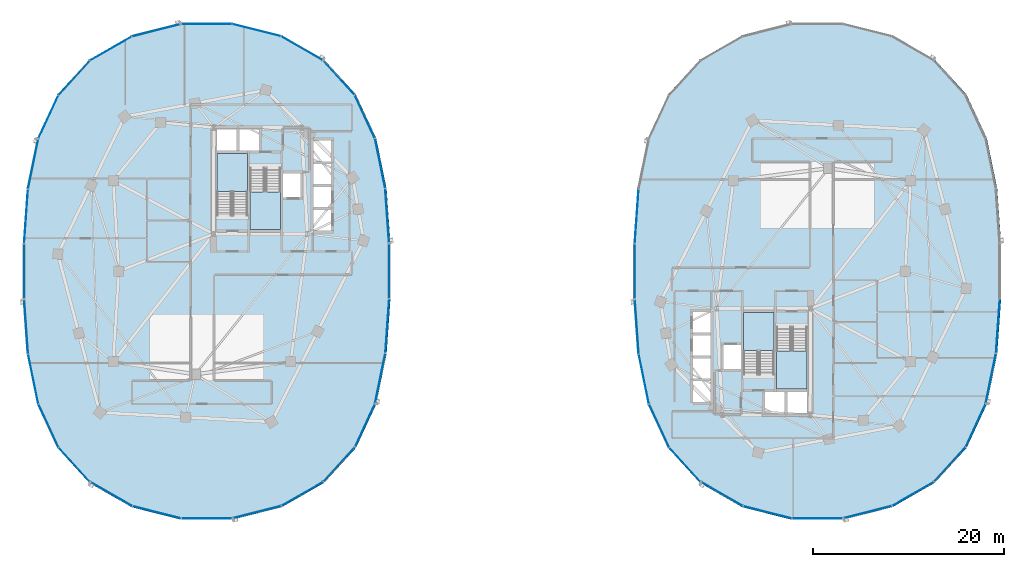
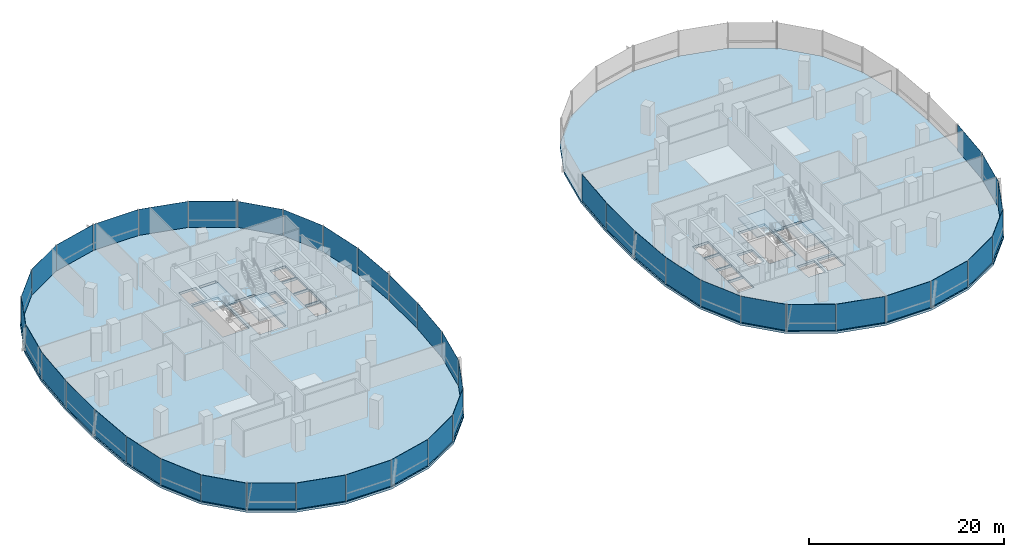
# One storey, part 9 of 21: 43 plates, 6 slabs, 11 elements without a shape of their own.
"""IFC4 building model written with IfcOpenShell, lengths in metres."""

from ifc_helpers import new_model, si_unit, direction, frame, origin, origin_2d, place, context, subcontext, project, spatial, polyline, rectangle, outline, extrude, material, layer, layer_set, type_object, element, aggregate, save


model = new_model("IFC4")

# Units and contexts
model_context = context("Model", 3, precision=1e-05, world=origin(), true_north=direction((0.0, 1.0)))
body_context = subcontext(model_context, "Body", "Model", "MODEL_VIEW")
ifc_project = project(units=[si_unit("LENGTHUNIT", "METRE"), si_unit("AREAUNIT", "SQUARE_METRE"), si_unit("VOLUMEUNIT", "CUBIC_METRE"), si_unit("PLANEANGLEUNIT", "RADIAN"), si_unit("MASSUNIT", "GRAM", prefix="KILO"), si_unit("THERMODYNAMICTEMPERATUREUNIT", "KELVIN"), si_unit("POWERUNIT", "WATT")], contexts=[model_context])

# Site, building, storey
site_placement = place(None, origin())
site = spatial("IfcSite", under=ifc_project, at=site_placement, CompositionType="ELEMENT")
building_placement = place(site_placement, origin())
building = spatial("IfcBuilding", under=site, at=building_placement, Name="Cundina Bronze Exchange", CompositionType="ELEMENT")
storey_placement = place(building_placement, frame((0.0, 0.0, 92.60009765625)))
storey = spatial("IfcBuildingStorey", under=building, at=storey_placement, Name="L23", CompositionType="ELEMENT", Elevation=92.60009765625)

# Curtain wall, plates
ifc_material_1 = material(Name="Anodised Bronze Aluminium 6063-T6", Category="aluminium")
curtain_wall_type = type_object("IfcCurtainWallType", Name="CWS-TRD-MID", PredefinedType="NOTDEFINED", material=ifc_material_1)
curtain_wall_1_placement = place(storey_placement, origin())
curtain_wall_1 = element("IfcCurtainWall", 1, at=curtain_wall_1_placement, inside=storey, type_object=curtain_wall_type, Name="L23 CW-03 Curtain Wall Run CWR-L23-W1", PredefinedType="NOTDEFINED")
ifc_material_2 = material(Name="Heat-Strengthened Solar-Control Bronze Safety Glass 28mm", Category="glass")
ifc_layer_1 = layer(ifc_material_2, 0.028076171875, Name="Heat-Strengthened Solar-Control Bronze Safety Glass 28mm", Category="glass")
ifc_layer_set_1 = layer_set([ifc_layer_1], Name="Heat-Strengthened Solar-Control Bronze Safety Glass 28mm")
plate_type_1 = type_object("IfcPlateType", Name="PLT-GLZ-VIS28", PredefinedType="CURTAIN_PANEL", material=ifc_layer_set_1)
plate_1_placement = place(storey_placement, frame((-13.0732421875, 5.783935546875, 0.02001953125), z_axis=(0.0, 0.0, 1.0), x_axis=(-0.070278787473, 0.997527389113, 0.0)))
plate_1 = element("IfcPlate", 2, at=plate_1_placement, type_object=plate_type_1, Name="CW-03 Glazed Panel 1", PredefinedType="CURTAIN_PANEL", context=body_context, shape_type="SweptSolid", body=[
    extrude(rectangle(XDim=5.644287109375, YDim=0.028076171875, at=origin_2d()), origin(), (0.0, 0.0, 1.0), 3.260009765625),
])
plate_2_placement = place(storey_placement, frame((-15.413818359375, 16.177734375, 0.02001953125), z_axis=(0.0, 0.0, 1.0), x_axis=(-0.42084583328, 0.907132175932, 0.0)))
plate_2 = element("IfcPlate", 3, at=plate_2_placement, type_object=plate_type_1, Name="CW-03 Glazed Panel 3", PredefinedType="CURTAIN_PANEL", context=body_context, shape_type="SweptSolid", body=[
    extrude(rectangle(XDim=4.966552734375, YDim=0.028076171875, at=origin_2d()), origin(), (0.0, 0.0, 1.0), 3.260009765625),
])
plate_3_placement = place(storey_placement, frame((-18.1259765625, 20.267333984375, 0.02001953125), z_axis=(0.0, 0.0, 1.0), x_axis=(-0.674276610219, 0.73847887777, 0.0)))
plate_3 = element("IfcPlate", 4, at=plate_3_placement, type_object=plate_type_1, Name="CW-03 Glazed Panel 4", PredefinedType="CURTAIN_PANEL", context=body_context, shape_type="SweptSolid", body=[
    extrude(rectangle(XDim=4.86328125, YDim=0.028076171875, at=origin_2d()), origin(), (0.0, 0.0, 1.0), 3.260009765625),
])
plate_4_placement = place(storey_placement, frame((-21.980712890625, 23.34423828125, 0.02001953125), z_axis=(0.0, 0.0, 1.0), x_axis=(-0.867105478933, 0.498124571171, 0.0)))
plate_4 = element("IfcPlate", 5, at=plate_4_placement, type_object=plate_type_1, Name="CW-03 Glazed Panel 5", PredefinedType="CURTAIN_PANEL", context=body_context, shape_type="SweptSolid", body=[
    extrude(rectangle(XDim=5.021240234375, YDim=0.028076171875, at=origin_2d()), origin(), (0.0, 0.0, 1.0), 3.260009765625),
])
plate_5_placement = place(storey_placement, frame((-26.744384765625, 25.256591796875, 0.02001953125), z_axis=(0.0, 0.0, 1.0), x_axis=(-0.969488149345, 0.245138182011, 0.0)))
plate_5 = element("IfcPlate", 6, at=plate_5_placement, type_object=plate_type_1, Name="CW-03 Glazed Panel 6", PredefinedType="CURTAIN_PANEL", context=body_context, shape_type="SweptSolid", body=[
    extrude(rectangle(XDim=5.2333984375, YDim=0.028076171875, at=origin_2d()), origin(), (0.0, 0.0, 1.0), 3.260009765625),
])

curtain_wall_2_placement = place(storey_placement, origin())
curtain_wall_2 = element("IfcCurtainWall", 7, at=curtain_wall_2_placement, inside=storey, type_object=curtain_wall_type, Name="L23 CW-03 Curtain Wall Run CWR-L23-W2", PredefinedType="NOTDEFINED")
plate_6_placement = place(storey_placement, frame((-42.019287109375, 23.34423828125, 0.02001953125), z_axis=(0.0, 0.0, 1.0), x_axis=(-0.867105478933, -0.498124571171, 0.0)))
plate_6 = element("IfcPlate", 8, at=plate_6_placement, type_object=plate_type_1, Name="CW-03 Glazed Panel 2", PredefinedType="CURTAIN_PANEL", context=body_context, shape_type="SweptSolid", body=[
    extrude(rectangle(XDim=5.021240234375, YDim=0.028076171875, at=origin_2d()), origin(), (0.0, 0.0, 1.0), 3.260009765625),
])
plate_7_placement = place(storey_placement, frame((-45.8740234375, 20.267333984375, 0.02001953125), z_axis=(0.0, 0.0, 1.0), x_axis=(-0.674276610219, -0.73847887777, 0.0)))
plate_7 = element("IfcPlate", 9, at=plate_7_placement, type_object=plate_type_1, Name="CW-03 Glazed Panel 3", PredefinedType="CURTAIN_PANEL", context=body_context, shape_type="SweptSolid", body=[
    extrude(rectangle(XDim=4.86328125, YDim=0.028076171875, at=origin_2d()), origin(), (0.0, 0.0, 1.0), 3.260009765625),
])
plate_8_placement = place(storey_placement, frame((-48.586181640625, 16.177734375, 0.02001953125), z_axis=(0.0, 0.0, 1.0), x_axis=(-0.42084583328, -0.907132175932, 0.0)))
plate_8 = element("IfcPlate", 10, at=plate_8_placement, type_object=plate_type_1, Name="CW-03 Glazed Panel 4", PredefinedType="CURTAIN_PANEL", context=body_context, shape_type="SweptSolid", body=[
    extrude(rectangle(XDim=4.966552734375, YDim=0.028076171875, at=origin_2d()), origin(), (0.0, 0.0, 1.0), 3.260009765625),
])
plate_9_placement = place(storey_placement, frame((-50.18408203125, 11.269775390625, 0.02001953125), z_axis=(0.0, 0.0, 1.0), x_axis=(-0.201419845156, -0.979505000486, 0.0)))
plate_9 = element("IfcPlate", 11, at=plate_9_placement, type_object=plate_type_1, Name="CW-03 Glazed Panel 5", PredefinedType="CURTAIN_PANEL", context=body_context, shape_type="SweptSolid", body=[
    extrude(rectangle(XDim=5.306640625, YDim=0.028076171875, at=origin_2d()), origin(), (0.0, 0.0, 1.0), 3.260009765625),
])
plate_10_placement = place(storey_placement, frame((-51.1279296875, 0.0, 0.02001953125), z_axis=(0.0, 0.0, 1.0), x_axis=(0.0, -1.0, 0.0)))
plate_10 = element("IfcPlate", 12, at=plate_10_placement, type_object=plate_type_1, Name="CW-03 Glazed Panel 7", PredefinedType="CURTAIN_PANEL", context=body_context, shape_type="SweptSolid", body=[
    extrude(rectangle(XDim=5.77587890625, YDim=0.028076171875, at=origin_2d()), origin(), (0.0, 0.0, 1.0), 3.260009765625),
])

curtain_wall_3_placement = place(storey_placement, origin())
curtain_wall_3 = element("IfcCurtainWall", 13, at=curtain_wall_3_placement, inside=storey, type_object=curtain_wall_type, Name="L23 CW-03 Curtain Wall Run CWR-L23-W3", PredefinedType="NOTDEFINED")
plate_11_placement = place(storey_placement, frame((-50.9267578125, -5.783935546875, 0.02001953125), z_axis=(0.0, 0.0, 1.0), x_axis=(0.070278787473, -0.997527389113, 0.0)))
plate_11 = element("IfcPlate", 14, at=plate_11_placement, type_object=plate_type_1, Name="CW-03 Glazed Panel 1", PredefinedType="CURTAIN_PANEL", context=body_context, shape_type="SweptSolid", body=[
    extrude(rectangle(XDim=5.644287109375, YDim=0.028076171875, at=origin_2d()), origin(), (0.0, 0.0, 1.0), 3.260009765625),
])
plate_12_placement = place(storey_placement, frame((-50.18408203125, -11.269775390625, 0.02001953125), z_axis=(0.0, 0.0, 1.0), x_axis=(0.201419845156, -0.979505000486, 0.0)))
plate_12 = element("IfcPlate", 15, at=plate_12_placement, type_object=plate_type_1, Name="CW-03 Glazed Panel 2", PredefinedType="CURTAIN_PANEL", context=body_context, shape_type="SweptSolid", body=[
    extrude(rectangle(XDim=5.306640625, YDim=0.028076171875, at=origin_2d()), origin(), (0.0, 0.0, 1.0), 3.260009765625),
])
plate_13_placement = place(storey_placement, frame((-48.586181640625, -16.177734375, 0.02001953125), z_axis=(0.0, 0.0, 1.0), x_axis=(0.42084583328, -0.907132175932, 0.0)))
plate_13 = element("IfcPlate", 16, at=plate_13_placement, type_object=plate_type_1, Name="CW-03 Glazed Panel 3", PredefinedType="CURTAIN_PANEL", context=body_context, shape_type="SweptSolid", body=[
    extrude(rectangle(XDim=4.966552734375, YDim=0.028076171875, at=origin_2d()), origin(), (0.0, 0.0, 1.0), 3.260009765625),
])
plate_14_placement = place(storey_placement, frame((-45.8740234375, -20.267333984375, 0.02001953125), z_axis=(0.0, 0.0, 1.0), x_axis=(0.674276610219, -0.73847887777, 0.0)))
plate_14 = element("IfcPlate", 17, at=plate_14_placement, type_object=plate_type_1, Name="CW-03 Glazed Panel 4", PredefinedType="CURTAIN_PANEL", context=body_context, shape_type="SweptSolid", body=[
    extrude(rectangle(XDim=4.86328125, YDim=0.028076171875, at=origin_2d()), origin(), (0.0, 0.0, 1.0), 3.260009765625),
])
plate_15_placement = place(storey_placement, frame((-37.255615234375, -25.256591796875, 0.02001953125), z_axis=(0.0, 0.0, 1.0), x_axis=(0.969488149345, -0.245138182011, 0.0)))
plate_15 = element("IfcPlate", 18, at=plate_15_placement, type_object=plate_type_1, Name="CW-03 Glazed Panel 6", PredefinedType="CURTAIN_PANEL", context=body_context, shape_type="SweptSolid", body=[
    extrude(rectangle(XDim=5.2333984375, YDim=0.028076171875, at=origin_2d()), origin(), (0.0, 0.0, 1.0), 3.260009765625),
])
plate_16_placement = place(storey_placement, frame((-32.0, -25.905029296875, 0.02001953125), z_axis=(0.0, 0.0, 1.0), x_axis=(1.0, 0.0, 0.0)))
plate_16 = element("IfcPlate", 19, at=plate_16_placement, type_object=plate_type_1, Name="CW-03 Glazed Panel 7", PredefinedType="CURTAIN_PANEL", context=body_context, shape_type="SweptSolid", body=[
    extrude(rectangle(XDim=5.323974609375, YDim=0.028076171875, at=origin_2d()), origin(), (0.0, 0.0, 1.0), 3.260009765625),
])

curtain_wall_4_placement = place(storey_placement, origin())
curtain_wall_4 = element("IfcCurtainWall", 20, at=curtain_wall_4_placement, inside=storey, type_object=curtain_wall_type, Name="L23 CW-03 Curtain Wall Run CWR-L23-W4", PredefinedType="NOTDEFINED")
plate_17_placement = place(storey_placement, frame((-26.744384765625, -25.256591796875, 0.02001953125), z_axis=(0.0, 0.0, 1.0), x_axis=(0.969488149345, 0.245138182011, 0.0)))
plate_17 = element("IfcPlate", 21, at=plate_17_placement, type_object=plate_type_1, Name="CW-03 Glazed Panel 1", PredefinedType="CURTAIN_PANEL", context=body_context, shape_type="SweptSolid", body=[
    extrude(rectangle(XDim=5.2333984375, YDim=0.028076171875, at=origin_2d()), origin(), (0.0, 0.0, 1.0), 3.260009765625),
])
plate_18_placement = place(storey_placement, frame((-21.980712890625, -23.34423828125, 0.02001953125), z_axis=(0.0, 0.0, 1.0), x_axis=(0.867105478933, 0.498124571171, 0.0)))
plate_18 = element("IfcPlate", 22, at=plate_18_placement, type_object=plate_type_1, Name="CW-03 Glazed Panel 2", PredefinedType="CURTAIN_PANEL", context=body_context, shape_type="SweptSolid", body=[
    extrude(rectangle(XDim=5.021240234375, YDim=0.028076171875, at=origin_2d()), origin(), (0.0, 0.0, 1.0), 3.260009765625),
])
plate_19_placement = place(storey_placement, frame((-18.1259765625, -20.267333984375, 0.02001953125), z_axis=(0.0, 0.0, 1.0), x_axis=(0.674276610219, 0.73847887777, 0.0)))
plate_19 = element("IfcPlate", 23, at=plate_19_placement, type_object=plate_type_1, Name="CW-03 Glazed Panel 3", PredefinedType="CURTAIN_PANEL", context=body_context, shape_type="SweptSolid", body=[
    extrude(rectangle(XDim=4.86328125, YDim=0.028076171875, at=origin_2d()), origin(), (0.0, 0.0, 1.0), 3.260009765625),
])
plate_20_placement = place(storey_placement, frame((-13.81591796875, -11.269775390625, 0.02001953125), z_axis=(0.0, 0.0, 1.0), x_axis=(0.201419845156, 0.979505000486, 0.0)))
plate_20 = element("IfcPlate", 24, at=plate_20_placement, type_object=plate_type_1, Name="CW-03 Glazed Panel 5", PredefinedType="CURTAIN_PANEL", context=body_context, shape_type="SweptSolid", body=[
    extrude(rectangle(XDim=5.306640625, YDim=0.028076171875, at=origin_2d()), origin(), (0.0, 0.0, 1.0), 3.260009765625),
])
plate_21_placement = place(storey_placement, frame((-13.0732421875, -5.783935546875, 0.02001953125), z_axis=(0.0, 0.0, 1.0), x_axis=(0.070278787473, 0.997527389113, 0.0)))
plate_21 = element("IfcPlate", 25, at=plate_21_placement, type_object=plate_type_1, Name="CW-03 Glazed Panel 6", PredefinedType="CURTAIN_PANEL", context=body_context, shape_type="SweptSolid", body=[
    extrude(rectangle(XDim=5.644287109375, YDim=0.028076171875, at=origin_2d()), origin(), (0.0, 0.0, 1.0), 3.260009765625),
])
plate_22_placement = place(storey_placement, frame((-12.8720703125, 0.0, 0.02001953125), z_axis=(0.0, 0.0, 1.0), x_axis=(0.0, 1.0, 0.0)))
plate_22 = element("IfcPlate", 26, at=plate_22_placement, type_object=plate_type_1, Name="CW-03 Glazed Panel 7", PredefinedType="CURTAIN_PANEL", context=body_context, shape_type="SweptSolid", body=[
    extrude(rectangle(XDim=5.77587890625, YDim=0.028076171875, at=origin_2d()), origin(), (0.0, 0.0, 1.0), 3.260009765625),
])

# Curtain wall, plate
curtain_wall_5_placement = place(storey_placement, origin())
curtain_wall_5 = element("IfcCurtainWall", 27, at=curtain_wall_5_placement, inside=storey, type_object=curtain_wall_type, Name="L23 CW-03 Curtain Wall Run CWR-L23-E2", PredefinedType="NOTDEFINED")
plate_23_placement = place(storey_placement, frame((12.8720703125, 0.0, 0.02001953125), z_axis=(0.0, 0.0, 1.0), x_axis=(0.0, -1.0, 0.0)))
plate_23 = element("IfcPlate", 28, at=plate_23_placement, type_object=plate_type_1, Name="CW-03 Glazed Panel 7", PredefinedType="CURTAIN_PANEL", context=body_context, shape_type="SweptSolid", body=[
    extrude(rectangle(XDim=5.77587890625, YDim=0.028076171875, at=origin_2d()), origin(), (0.0, 0.0, 1.0), 3.260009765625),
])

# Curtain wall, plates
curtain_wall_6_placement = place(storey_placement, origin())
curtain_wall_6 = element("IfcCurtainWall", 29, at=curtain_wall_6_placement, inside=storey, type_object=curtain_wall_type, Name="L23 CW-03 Curtain Wall Run CWR-L23-E3", PredefinedType="NOTDEFINED")
plate_24_placement = place(storey_placement, frame((13.0732421875, -5.783935546875, 0.02001953125), z_axis=(0.0, 0.0, 1.0), x_axis=(0.070278787473, -0.997527389113, 0.0)))
plate_24 = element("IfcPlate", 30, at=plate_24_placement, type_object=plate_type_1, Name="CW-03 Glazed Panel 1", PredefinedType="CURTAIN_PANEL", context=body_context, shape_type="SweptSolid", body=[
    extrude(rectangle(XDim=5.644287109375, YDim=0.028076171875, at=origin_2d()), origin(), (0.0, 0.0, 1.0), 3.260009765625),
])
plate_25_placement = place(storey_placement, frame((13.81591796875, -11.269775390625, 0.02001953125), z_axis=(0.0, 0.0, 1.0), x_axis=(0.201419845156, -0.979505000486, 0.0)))
plate_25 = element("IfcPlate", 31, at=plate_25_placement, type_object=plate_type_1, Name="CW-03 Glazed Panel 2", PredefinedType="CURTAIN_PANEL", context=body_context, shape_type="SweptSolid", body=[
    extrude(rectangle(XDim=5.306640625, YDim=0.028076171875, at=origin_2d()), origin(), (0.0, 0.0, 1.0), 3.260009765625),
])
plate_26_placement = place(storey_placement, frame((15.413818359375, -16.177734375, 0.02001953125), z_axis=(0.0, 0.0, 1.0), x_axis=(0.42084583328, -0.907132175932, 0.0)))
plate_26 = element("IfcPlate", 32, at=plate_26_placement, type_object=plate_type_1, Name="CW-03 Glazed Panel 3", PredefinedType="CURTAIN_PANEL", context=body_context, shape_type="SweptSolid", body=[
    extrude(rectangle(XDim=4.966552734375, YDim=0.028076171875, at=origin_2d()), origin(), (0.0, 0.0, 1.0), 3.260009765625),
])
plate_27_placement = place(storey_placement, frame((18.1259765625, -20.267333984375, 0.02001953125), z_axis=(0.0, 0.0, 1.0), x_axis=(0.674276610219, -0.73847887777, 0.0)))
plate_27 = element("IfcPlate", 33, at=plate_27_placement, type_object=plate_type_1, Name="CW-03 Glazed Panel 4", PredefinedType="CURTAIN_PANEL", context=body_context, shape_type="SweptSolid", body=[
    extrude(rectangle(XDim=4.86328125, YDim=0.028076171875, at=origin_2d()), origin(), (0.0, 0.0, 1.0), 3.260009765625),
])
plate_28_placement = place(storey_placement, frame((26.744384765625, -25.256591796875, 0.02001953125), z_axis=(0.0, 0.0, 1.0), x_axis=(0.969488149345, -0.245138182011, 0.0)))
plate_28 = element("IfcPlate", 34, at=plate_28_placement, type_object=plate_type_1, Name="CW-03 Glazed Panel 6", PredefinedType="CURTAIN_PANEL", context=body_context, shape_type="SweptSolid", body=[
    extrude(rectangle(XDim=5.2333984375, YDim=0.028076171875, at=origin_2d()), origin(), (0.0, 0.0, 1.0), 3.260009765625),
])
plate_29_placement = place(storey_placement, frame((32.0, -25.905029296875, 0.02001953125), z_axis=(0.0, 0.0, 1.0), x_axis=(1.0, 0.0, 0.0)))
plate_29 = element("IfcPlate", 35, at=plate_29_placement, type_object=plate_type_1, Name="CW-03 Glazed Panel 7", PredefinedType="CURTAIN_PANEL", context=body_context, shape_type="SweptSolid", body=[
    extrude(rectangle(XDim=5.323974609375, YDim=0.028076171875, at=origin_2d()), origin(), (0.0, 0.0, 1.0), 3.260009765625),
])

curtain_wall_7_placement = place(storey_placement, origin())
curtain_wall_7 = element("IfcCurtainWall", 36, at=curtain_wall_7_placement, inside=storey, type_object=curtain_wall_type, Name="L23 CW-03 Curtain Wall Run CWR-L23-E4", PredefinedType="NOTDEFINED")
plate_30_placement = place(storey_placement, frame((37.255615234375, -25.256591796875, 0.02001953125), z_axis=(0.0, 0.0, 1.0), x_axis=(0.969488149345, 0.245138182011, 0.0)))
plate_30 = element("IfcPlate", 37, at=plate_30_placement, type_object=plate_type_1, Name="CW-03 Glazed Panel 1", PredefinedType="CURTAIN_PANEL", context=body_context, shape_type="SweptSolid", body=[
    extrude(rectangle(XDim=5.2333984375, YDim=0.028076171875, at=origin_2d()), origin(), (0.0, 0.0, 1.0), 3.260009765625),
])
plate_31_placement = place(storey_placement, frame((42.019287109375, -23.34423828125, 0.02001953125), z_axis=(0.0, 0.0, 1.0), x_axis=(0.867105478933, 0.498124571171, 0.0)))
plate_31 = element("IfcPlate", 38, at=plate_31_placement, type_object=plate_type_1, Name="CW-03 Glazed Panel 2", PredefinedType="CURTAIN_PANEL", context=body_context, shape_type="SweptSolid", body=[
    extrude(rectangle(XDim=5.021240234375, YDim=0.028076171875, at=origin_2d()), origin(), (0.0, 0.0, 1.0), 3.260009765625),
])
plate_32_placement = place(storey_placement, frame((45.8740234375, -20.267333984375, 0.02001953125), z_axis=(0.0, 0.0, 1.0), x_axis=(0.674276610219, 0.73847887777, 0.0)))
plate_32 = element("IfcPlate", 39, at=plate_32_placement, type_object=plate_type_1, Name="CW-03 Glazed Panel 3", PredefinedType="CURTAIN_PANEL", context=body_context, shape_type="SweptSolid", body=[
    extrude(rectangle(XDim=4.86328125, YDim=0.028076171875, at=origin_2d()), origin(), (0.0, 0.0, 1.0), 3.260009765625),
])
plate_33_placement = place(storey_placement, frame((50.18408203125, -11.269775390625, 0.02001953125), z_axis=(0.0, 0.0, 1.0), x_axis=(0.201419845156, 0.979505000486, 0.0)))
plate_33 = element("IfcPlate", 40, at=plate_33_placement, type_object=plate_type_1, Name="CW-03 Glazed Panel 5", PredefinedType="CURTAIN_PANEL", context=body_context, shape_type="SweptSolid", body=[
    extrude(rectangle(XDim=5.306640625, YDim=0.028076171875, at=origin_2d()), origin(), (0.0, 0.0, 1.0), 3.260009765625),
])
plate_34_placement = place(storey_placement, frame((50.9267578125, -5.783935546875, 0.02001953125), z_axis=(0.0, 0.0, 1.0), x_axis=(0.070278787473, 0.997527389113, 0.0)))
plate_34 = element("IfcPlate", 41, at=plate_34_placement, type_object=plate_type_1, Name="CW-03 Glazed Panel 6", PredefinedType="CURTAIN_PANEL", context=body_context, shape_type="SweptSolid", body=[
    extrude(rectangle(XDim=5.644287109375, YDim=0.028076171875, at=origin_2d()), origin(), (0.0, 0.0, 1.0), 3.260009765625),
])

# Plate
ifc_material_3 = material(Name="Dark Bronze Spandrel Glass Panel 32mm", Category="glass")
ifc_layer_2 = layer(ifc_material_3, 0.031982421875, Name="Dark Bronze Spandrel Glass Panel 32mm", Category="glass")
ifc_layer_set_2 = layer_set([ifc_layer_2], Name="Dark Bronze Spandrel Glass Panel 32mm")
plate_type_2 = type_object("IfcPlateType", Name="PLT-SPN-BRZ32", PredefinedType="CURTAIN_PANEL", material=ifc_layer_set_2)
plate_35_placement = place(storey_placement, frame((-13.81591796875, 11.269775390625, 0.02001953125), z_axis=(0.0, 0.0, 1.0), x_axis=(-0.201419845156, 0.979505000486, 0.0)))
plate_35 = element("IfcPlate", 42, at=plate_35_placement, type_object=plate_type_2, Name="CW-03 Glazed Panel 2", PredefinedType="CURTAIN_PANEL", context=body_context, shape_type="SweptSolid", body=[
    extrude(rectangle(XDim=5.306640625, YDim=0.031982421875, at=origin_2d()), origin(), (0.0, 0.0, 1.0), 3.260009765625),
])

plate_36_placement = place(storey_placement, frame((-32.0, 25.905029296875, 0.02001953125), z_axis=(0.0, 0.0, 1.0), x_axis=(-1.0, 0.0, 0.0)))
plate_36 = element("IfcPlate", 43, at=plate_36_placement, type_object=plate_type_2, Name="CW-03 Glazed Panel 7", PredefinedType="CURTAIN_PANEL", context=body_context, shape_type="SweptSolid", body=[
    extrude(rectangle(XDim=5.323974609375, YDim=0.031982421875, at=origin_2d()), origin(), (0.0, 0.0, 1.0), 3.260009765625),
])

aggregate(curtain_wall_1, [plate_1, plate_35, plate_2, plate_3, plate_4, plate_5, plate_36])

plate_37_placement = place(storey_placement, frame((-37.255615234375, 25.256591796875, 0.02001953125), z_axis=(0.0, 0.0, 1.0), x_axis=(-0.969488149345, -0.245138182011, 0.0)))
plate_37 = element("IfcPlate", 44, at=plate_37_placement, type_object=plate_type_2, Name="CW-03 Glazed Panel 1", PredefinedType="CURTAIN_PANEL", context=body_context, shape_type="SweptSolid", body=[
    extrude(rectangle(XDim=5.2333984375, YDim=0.031982421875, at=origin_2d()), origin(), (0.0, 0.0, 1.0), 3.260009765625),
])

plate_38_placement = place(storey_placement, frame((-50.9267578125, 5.783935546875, 0.02001953125), z_axis=(0.0, 0.0, 1.0), x_axis=(-0.070278787473, -0.997527389113, 0.0)))
plate_38 = element("IfcPlate", 45, at=plate_38_placement, type_object=plate_type_2, Name="CW-03 Glazed Panel 6", PredefinedType="CURTAIN_PANEL", context=body_context, shape_type="SweptSolid", body=[
    extrude(rectangle(XDim=5.644287109375, YDim=0.031982421875, at=origin_2d()), origin(), (0.0, 0.0, 1.0), 3.260009765625),
])

aggregate(curtain_wall_2, [plate_37, plate_6, plate_7, plate_8, plate_9, plate_38, plate_10])

plate_39_placement = place(storey_placement, frame((-42.019287109375, -23.34423828125, 0.02001953125), z_axis=(0.0, 0.0, 1.0), x_axis=(0.867105478933, -0.498124571171, 0.0)))
plate_39 = element("IfcPlate", 46, at=plate_39_placement, type_object=plate_type_2, Name="CW-03 Glazed Panel 5", PredefinedType="CURTAIN_PANEL", context=body_context, shape_type="SweptSolid", body=[
    extrude(rectangle(XDim=5.021240234375, YDim=0.031982421875, at=origin_2d()), origin(), (0.0, 0.0, 1.0), 3.260009765625),
])

aggregate(curtain_wall_3, [plate_11, plate_12, plate_13, plate_14, plate_39, plate_15, plate_16])

plate_40_placement = place(storey_placement, frame((-15.413818359375, -16.177734375, 0.02001953125), z_axis=(0.0, 0.0, 1.0), x_axis=(0.42084583328, 0.907132175932, 0.0)))
plate_40 = element("IfcPlate", 47, at=plate_40_placement, type_object=plate_type_2, Name="CW-03 Glazed Panel 4", PredefinedType="CURTAIN_PANEL", context=body_context, shape_type="SweptSolid", body=[
    extrude(rectangle(XDim=4.966552734375, YDim=0.031982421875, at=origin_2d()), origin(), (0.0, 0.0, 1.0), 3.260009765625),
])

aggregate(curtain_wall_4, [plate_17, plate_18, plate_19, plate_40, plate_20, plate_21, plate_22])

plate_41_placement = place(storey_placement, frame((13.0732421875, 5.783935546875, 0.02001953125), z_axis=(0.0, 0.0, 1.0), x_axis=(-0.070278787473, -0.997527389113, 0.0)))
plate_41 = element("IfcPlate", 48, at=plate_41_placement, type_object=plate_type_2, Name="CW-03 Glazed Panel 6", PredefinedType="CURTAIN_PANEL", context=body_context, shape_type="SweptSolid", body=[
    extrude(rectangle(XDim=5.644287109375, YDim=0.031982421875, at=origin_2d()), origin(), (0.0, 0.0, 1.0), 3.260009765625),
])

aggregate(curtain_wall_5, [plate_41, plate_23])

plate_42_placement = place(storey_placement, frame((21.980712890625, -23.34423828125, 0.02001953125), z_axis=(0.0, 0.0, 1.0), x_axis=(0.867105478933, -0.498124571171, 0.0)))
plate_42 = element("IfcPlate", 49, at=plate_42_placement, type_object=plate_type_2, Name="CW-03 Glazed Panel 5", PredefinedType="CURTAIN_PANEL", context=body_context, shape_type="SweptSolid", body=[
    extrude(rectangle(XDim=5.021240234375, YDim=0.031982421875, at=origin_2d()), origin(), (0.0, 0.0, 1.0), 3.260009765625),
])

aggregate(curtain_wall_6, [plate_24, plate_25, plate_26, plate_27, plate_42, plate_28, plate_29])

plate_43_placement = place(storey_placement, frame((48.586181640625, -16.177734375, 0.02001953125), z_axis=(0.0, 0.0, 1.0), x_axis=(0.42084583328, 0.907132175932, 0.0)))
plate_43 = element("IfcPlate", 50, at=plate_43_placement, type_object=plate_type_2, Name="CW-03 Glazed Panel 4", PredefinedType="CURTAIN_PANEL", context=body_context, shape_type="SweptSolid", body=[
    extrude(rectangle(XDim=4.966552734375, YDim=0.031982421875, at=origin_2d()), origin(), (0.0, 0.0, 1.0), 3.260009765625),
])

aggregate(curtain_wall_7, [plate_30, plate_31, plate_32, plate_43, plate_33, plate_34])

# Stair, slab
ifc_material_4 = material(Name="Concrete C40/50", Category="concrete")
stair_type = type_object("IfcStairType", Name="STR-OFF-360", PredefinedType="HALF_TURN_STAIR", material=ifc_material_4)
stair_1_placement = place(storey_placement, origin())
stair_1 = element("IfcStair", 51, at=stair_1_placement, inside=storey, type_object=stair_type, Name="L23 Smokeproof Exit Stair W1", PredefinedType="HALF_TURN_STAIR")
ifc_layer_3 = layer(ifc_material_4, 0.199951171875, Name="Concrete C40/50", Category="concrete")
ifc_layer_set_3 = layer_set([ifc_layer_3], Name="Concrete C40/50")
slab_type_1 = type_object("IfcSlabType", Name="SLB-LND-200", PredefinedType="LANDING", material=ifc_layer_set_3)
slab_1_placement = place(storey_placement, frame((0.0, 0.0, 1.599853515625)))
slab_1 = element("IfcSlab", 52, at=slab_1_placement, type_object=slab_type_1, Name="ST-W1 landing 1", PredefinedType="LANDING", context=body_context, shape_type="SweptSolid", body=[
    extrude(outline(polyline([(-27.739990234375, 8.3701171875), (-27.739990234375, 12.35009765625), (-30.89990234375, 12.35009765625), (-30.89990234375, 8.3701171875), (-27.739990234375, 8.3701171875)])), origin(), (0.0, 0.0, 1.0), 0.199951171875),
])
aggregate(stair_1, [slab_1])

stair_2_placement = place(storey_placement, origin())
stair_2 = element("IfcStair", 53, at=stair_2_placement, inside=storey, type_object=stair_type, Name="L23 Smokeproof Exit Stair W2", PredefinedType="HALF_TURN_STAIR")
slab_2_placement = place(storey_placement, frame((0.0, 0.0, 1.599853515625)))
slab_2 = element("IfcSlab", 54, at=slab_2_placement, type_object=slab_type_1, Name="ST-W2 landing 1", PredefinedType="LANDING", context=body_context, shape_type="SweptSolid", body=[
    extrude(outline(polyline([(-27.43994140625, 8.330078125), (-27.43994140625, 4.35009765625), (-24.280029296875, 4.35009765625), (-24.280029296875, 8.330078125), (-27.43994140625, 8.330078125)])), origin(), (0.0, 0.0, 1.0), 0.199951171875),
])
aggregate(stair_2, [slab_2])

stair_3_placement = place(storey_placement, origin())
stair_3 = element("IfcStair", 55, at=stair_3_placement, inside=storey, type_object=stair_type, Name="L23 Smokeproof Exit Stair E1", PredefinedType="HALF_TURN_STAIR")
slab_3_placement = place(storey_placement, frame((0.0, 0.0, 1.599853515625)))
slab_3 = element("IfcSlab", 56, at=slab_3_placement, type_object=slab_type_1, Name="ST-E1 landing 1", PredefinedType="LANDING", context=body_context, shape_type="SweptSolid", body=[
    extrude(outline(polyline([(27.739990234375, -8.3701171875), (27.739990234375, -12.35009765625), (30.89990234375, -12.35009765625), (30.89990234375, -8.3701171875), (27.739990234375, -8.3701171875)])), origin(), (0.0, 0.0, 1.0), 0.199951171875),
])
aggregate(stair_3, [slab_3])

stair_4_placement = place(storey_placement, origin())
stair_4 = element("IfcStair", 57, at=stair_4_placement, inside=storey, type_object=stair_type, Name="L23 Smokeproof Exit Stair E2", PredefinedType="HALF_TURN_STAIR")
slab_4_placement = place(storey_placement, frame((0.0, 0.0, 1.599853515625)))
slab_4 = element("IfcSlab", 58, at=slab_4_placement, type_object=slab_type_1, Name="ST-E2 landing 1", PredefinedType="LANDING", context=body_context, shape_type="SweptSolid", body=[
    extrude(outline(polyline([(27.43994140625, -8.330078125), (27.43994140625, -4.35009765625), (24.280029296875, -4.35009765625), (24.280029296875, -8.330078125), (27.43994140625, -8.330078125)])), origin(), (0.0, 0.0, 1.0), 0.199951171875),
])
aggregate(stair_4, [slab_4])

# Slabs
ifc_material_5 = material(Name="Concrete C50/60", Category="concrete")
ifc_layer_4 = layer(ifc_material_5, 0.300048828125, Name="Concrete C50/60", Category="concrete")
ifc_layer_set_4 = layer_set([ifc_layer_4], Name="Concrete C50/60")
slab_type_2 = type_object("IfcSlabType", Name="SLB-TRD-300", PredefinedType="FLOOR", material=ifc_layer_set_4)
slab_5_placement = place(storey_placement, frame((0.0, 0.0, -0.300048828125)))
element("IfcSlab", 59, at=slab_5_placement, inside=storey, type_object=slab_type_2, Name="L23 Leg W Structural Floor Slab", PredefinedType="FLOOR", context=body_context, shape_type="SweptSolid", body=[
    extrude(outline(polyline([(-12.741943359375, 2.93310546875), (-13.14501953125, 8.653076171875), (-14.23193359375, 13.93896484375), (-16.360107421875, 18.52587890625), (-19.699951171875, 22.18408203125), (-24.132080078125, 24.72998046875), (-29.29296875, 26.034912109375), (-34.70703125, 26.034912109375), (-39.867919921875, 24.72998046875), (-44.300048828125, 22.18408203125), (-47.639892578125, 18.52587890625), (-49.76806640625, 13.93896484375), (-50.85498046875, 8.653076171875), (-51.258056640625, 2.93310546875), (-51.258056640625, -2.93310546875), (-50.85498046875, -8.653076171875), (-49.76806640625, -13.93896484375), (-47.639892578125, -18.52587890625), (-44.300048828125, -22.18408203125), (-39.867919921875, -24.72998046875), (-34.70703125, -26.034912109375), (-29.29296875, -26.034912109375), (-24.132080078125, -24.72998046875), (-19.699951171875, -22.18408203125), (-16.360107421875, -18.52587890625), (-14.23193359375, -13.93896484375), (-13.14501953125, -8.653076171875), (-12.741943359375, -2.93310546875), (-12.741943359375, 2.93310546875)]), holes=[polyline([(-27.739990234375, 5.85009765625), (-27.739990234375, 12.35009765625), (-30.89990234375, 12.35009765625), (-30.89990234375, 5.85009765625), (-27.739990234375, 5.85009765625)]), polyline([(-27.43994140625, 10.85009765625), (-27.43994140625, 4.35009765625), (-24.280029296875, 4.35009765625), (-24.280029296875, 10.85009765625), (-27.43994140625, 10.85009765625)]), polyline([(-23.97998046875, 10.25), (-22.179931640625, 10.25), (-22.179931640625, 7.75), (-23.97998046875, 7.75), (-23.97998046875, 10.25)]), polyline([(-30.89990234375, 14.949951171875), (-28.85009765625, 14.949951171875), (-28.85009765625, 12.64990234375), (-30.89990234375, 12.64990234375), (-30.89990234375, 14.949951171875)]), polyline([(-28.550048828125, 14.949951171875), (-26.5, 14.949951171875), (-26.5, 12.64990234375), (-28.550048828125, 12.64990234375), (-28.550048828125, 14.949951171875)]), polyline([(-20.800048828125, 13.699951171875), (-18.949951171875, 13.699951171875), (-18.949951171875, 11.449951171875), (-20.800048828125, 11.449951171875), (-20.800048828125, 13.699951171875)]), polyline([(-20.800048828125, 11.300048828125), (-18.949951171875, 11.300048828125), (-18.949951171875, 9.050048828125), (-20.800048828125, 9.050048828125), (-20.800048828125, 11.300048828125)]), polyline([(-20.800048828125, 8.89990234375), (-18.949951171875, 8.89990234375), (-18.949951171875, 6.64990234375), (-20.800048828125, 6.64990234375), (-20.800048828125, 8.89990234375)]), polyline([(-20.800048828125, 6.5), (-18.949951171875, 6.5), (-18.949951171875, 4.25), (-20.800048828125, 4.25), (-20.800048828125, 6.5)])]), origin(), (0.0, 0.0, 1.0), 0.300048828125),
])
slab_6_placement = place(storey_placement, frame((0.0, 0.0, -0.300048828125)))
element("IfcSlab", 60, at=slab_6_placement, inside=storey, type_object=slab_type_2, Name="L23 Leg E Structural Floor Slab", PredefinedType="FLOOR", context=body_context, shape_type="SweptSolid", body=[
    extrude(outline(polyline([(51.258056640625, 2.93310546875), (50.85498046875, 8.653076171875), (49.76806640625, 13.93896484375), (47.639892578125, 18.52587890625), (44.300048828125, 22.18408203125), (39.867919921875, 24.72998046875), (34.70703125, 26.034912109375), (29.29296875, 26.034912109375), (24.132080078125, 24.72998046875), (19.699951171875, 22.18408203125), (16.360107421875, 18.52587890625), (14.23193359375, 13.93896484375), (13.14501953125, 8.653076171875), (12.741943359375, 2.93310546875), (12.741943359375, -2.93310546875), (13.14501953125, -8.653076171875), (14.23193359375, -13.93896484375), (16.360107421875, -18.52587890625), (19.699951171875, -22.18408203125), (24.132080078125, -24.72998046875), (29.29296875, -26.034912109375), (34.70703125, -26.034912109375), (39.867919921875, -24.72998046875), (44.300048828125, -22.18408203125), (47.639892578125, -18.52587890625), (49.76806640625, -13.93896484375), (50.85498046875, -8.653076171875), (51.258056640625, -2.93310546875), (51.258056640625, 2.93310546875)]), holes=[polyline([(27.739990234375, -5.85009765625), (27.739990234375, -12.35009765625), (30.89990234375, -12.35009765625), (30.89990234375, -5.85009765625), (27.739990234375, -5.85009765625)]), polyline([(27.43994140625, -10.85009765625), (27.43994140625, -4.35009765625), (24.280029296875, -4.35009765625), (24.280029296875, -10.85009765625), (27.43994140625, -10.85009765625)]), polyline([(22.179931640625, -7.75), (23.97998046875, -7.75), (23.97998046875, -10.25), (22.179931640625, -10.25), (22.179931640625, -7.75)]), polyline([(28.85009765625, -12.64990234375), (30.89990234375, -12.64990234375), (30.89990234375, -14.949951171875), (28.85009765625, -14.949951171875), (28.85009765625, -12.64990234375)]), polyline([(26.5, -12.64990234375), (28.550048828125, -12.64990234375), (28.550048828125, -14.949951171875), (26.5, -14.949951171875), (26.5, -12.64990234375)]), polyline([(18.949951171875, -11.449951171875), (20.800048828125, -11.449951171875), (20.800048828125, -13.699951171875), (18.949951171875, -13.699951171875), (18.949951171875, -11.449951171875)]), polyline([(18.949951171875, -9.050048828125), (20.800048828125, -9.050048828125), (20.800048828125, -11.300048828125), (18.949951171875, -11.300048828125), (18.949951171875, -9.050048828125)]), polyline([(18.949951171875, -6.64990234375), (20.800048828125, -6.64990234375), (20.800048828125, -8.89990234375), (18.949951171875, -8.89990234375), (18.949951171875, -6.64990234375)]), polyline([(18.949951171875, -4.25), (20.800048828125, -4.25), (20.800048828125, -6.5), (18.949951171875, -6.5), (18.949951171875, -4.25)])]), origin(), (0.0, 0.0, 1.0), 0.300048828125),
])

save(model, "model.ifc")
